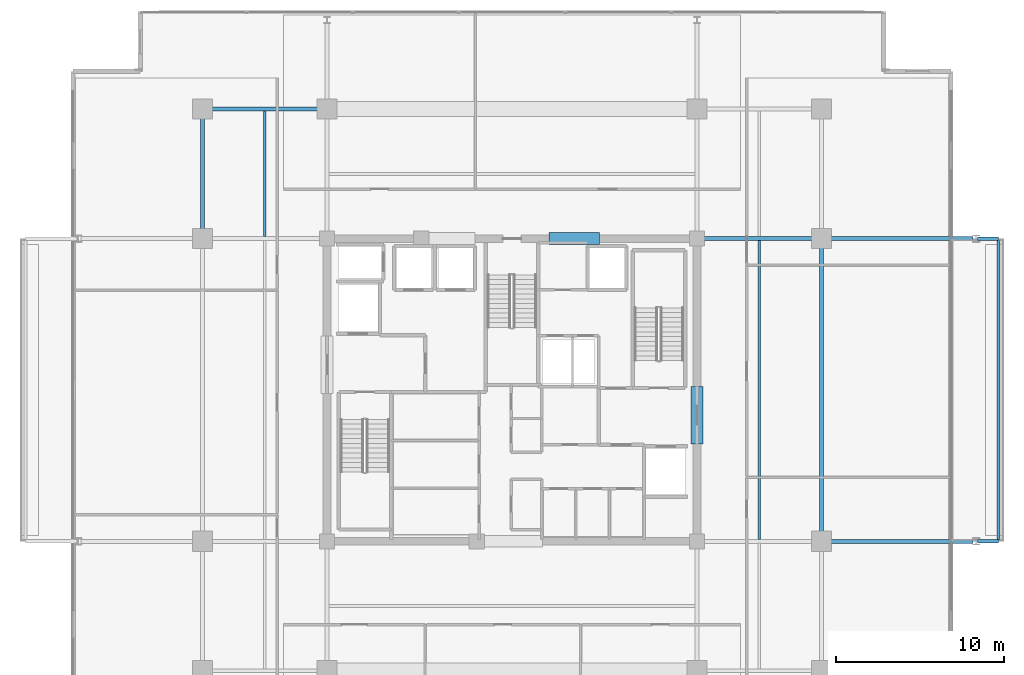
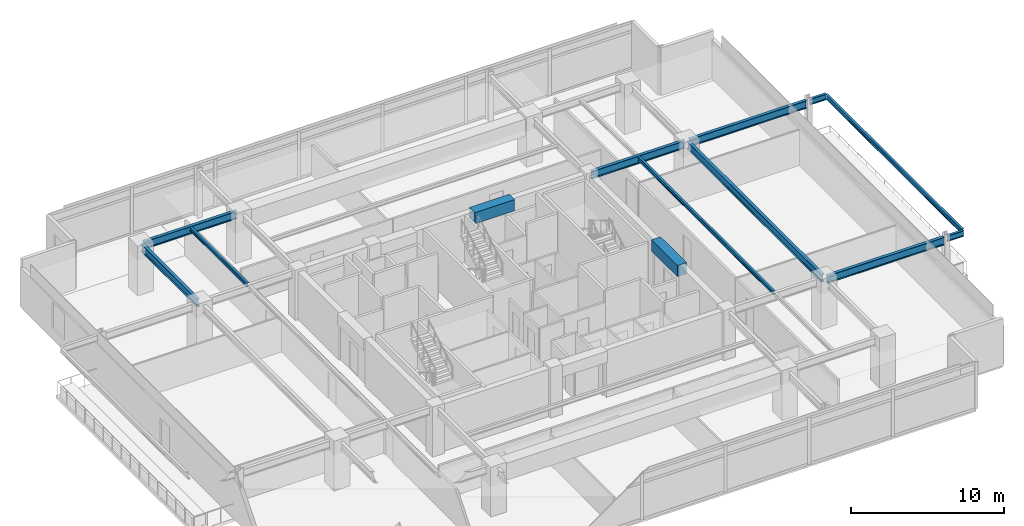
# One storey, part 8 of 24: 13 beams.
"""IFC4 building model written with IfcOpenShell, lengths in metres."""

from ifc_helpers import new_model, si_unit, direction, frame, origin, origin_2d, place, context, subcontext, project, spatial, rectangle, i_section, extrude, material, material_profile, profile_set, type_object, element, save


model = new_model("IFC4")

# Units and contexts
model_context = context("Model", 3, precision=1e-05, world=origin(), true_north=direction((0.0, 1.0)))
body_context = subcontext(model_context, "Body", "Model", "MODEL_VIEW")
ifc_project = project(units=[si_unit("LENGTHUNIT", "METRE"), si_unit("AREAUNIT", "SQUARE_METRE"), si_unit("VOLUMEUNIT", "CUBIC_METRE"), si_unit("PLANEANGLEUNIT", "RADIAN"), si_unit("MASSUNIT", "GRAM", prefix="KILO")], contexts=[model_context])

# Site, building, storey
site_placement = place(None, origin())
site = spatial("IfcSite", under=ifc_project, at=site_placement, CompositionType="ELEMENT")
building_placement = place(site_placement, origin())
building = spatial("IfcBuilding", under=site, at=building_placement, Name="Kovane Verandah Tower", CompositionType="ELEMENT")
storey_placement = place(building_placement, frame((0.0, 0.0, 271.199951171875)))
storey = spatial("IfcBuildingStorey", under=building, at=storey_placement, Name="L63", CompositionType="ELEMENT", Elevation=271.199951171875)

# Beams
ifc_material_1 = material(Name="Concrete C60/75", Category="concrete")
ifc_material_profile_1 = material_profile(ifc_material_1, rectangle(XDim=0.699951171875, YDim=0.89990234375, at=origin_2d()), Name="RCB700x900")
ifc_profile_set_1 = profile_set([ifc_material_profile_1], Name="Concrete C60/75")
beam_type_1 = type_object("IfcBeamType", Name="BM-LINTEL-700x900", PredefinedType="LINTEL", material=ifc_profile_set_1)
beam_1_placement = place(storey_placement, frame((42.199951171875, 36.5, 3.3349609375), z_axis=(1.0, 0.0, 0.0), x_axis=(0.0, 1.0, 0.0)))
element("IfcBeam", 1, at=beam_1_placement, inside=storey, type_object=beam_type_1, Name="L63 Core Coupling Lintel CL-N2", PredefinedType="LINTEL", context=body_context, shape_type="SweptSolid", body=[
    extrude(rectangle(XDim=0.699951171875, YDim=0.89990234375, at=origin_2d()), origin(), (0.0, 0.0, 1.0), 3.0),
])
beam_2_placement = place(storey_placement, frame((51.0, 24.300048828125, 3.3349609375), z_axis=(0.0, 1.0, 0.0), x_axis=(-1.0, 0.0, 0.0)))
element("IfcBeam", 2, at=beam_2_placement, inside=storey, type_object=beam_type_1, Name="L63 Core Coupling Lintel CL-E", PredefinedType="LINTEL", context=body_context, shape_type="SweptSolid", body=[
    extrude(rectangle(XDim=0.699951171875, YDim=0.89990234375, at=origin_2d()), origin(), (0.0, 0.0, 1.0), 3.39990234375),
])
ifc_material_2 = material(Name="Steel S355", Category="steel")
ifc_material_profile_2 = material_profile(ifc_material_2, i_section(OverallWidth=0.230224609375, OverallDepth=0.6171875, WebThickness=0.01318359375, FlangeThickness=0.022216796875, FilletRadius=0.0126953125, at=origin_2d()), Name="UB610x229x140")
ifc_profile_set_2 = profile_set([ifc_material_profile_2], Name="Steel S355")
beam_type_2 = type_object("IfcBeamType", Name="BM-UB610x140", PredefinedType="BEAM", material=ifc_profile_set_2)
beam_3_placement = place(storey_placement, frame((21.780029296875, 44.199951171875, 3.4765625), z_axis=(1.0, 0.0, 0.0), x_axis=(0.0, 1.0, 0.0)))
element("IfcBeam", 3, at=beam_3_placement, inside=storey, type_object=beam_type_2, Name="L63 Primary Tower Girder G-RN1", PredefinedType="BEAM", context=body_context, shape_type="SweptSolid", body=[
    extrude(i_section(OverallWidth=0.230224609375, OverallDepth=0.6171875, WebThickness=0.01318359375, FlangeThickness=0.022216796875, FilletRadius=0.0126953125, at=origin_2d()), origin(), (0.0, 0.0, 1.0), 7.0400390625),
])
beam_4_placement = place(storey_placement, frame((21.60009765625, 36.679931640625, 3.4765625), z_axis=(0.0, 1.0, 0.0), x_axis=(-1.0, 0.0, 0.0)))
element("IfcBeam", 4, at=beam_4_placement, inside=storey, type_object=beam_type_2, Name="L63 Primary Tower Girder G-RW3", PredefinedType="BEAM", context=body_context, shape_type="SweptSolid", body=[
    extrude(i_section(OverallWidth=0.230224609375, OverallDepth=0.6171875, WebThickness=0.01318359375, FlangeThickness=0.022216796875, FilletRadius=0.0126953125, at=origin_2d()), origin(), (0.0, 0.0, 1.0), 7.340087890625),
])
beam_5_placement = place(storey_placement, frame((58.39990234375, 18.679931640625, 3.4765625), z_axis=(0.0, 1.0, 0.0), x_axis=(-1.0, 0.0, 0.0)))
element("IfcBeam", 5, at=beam_5_placement, inside=storey, type_object=beam_type_2, Name="L63 Primary Tower Girder G-RE2", PredefinedType="BEAM", context=body_context, shape_type="SweptSolid", body=[
    extrude(i_section(OverallWidth=0.230224609375, OverallDepth=0.6171875, WebThickness=0.01318359375, FlangeThickness=0.022216796875, FilletRadius=0.0126953125, at=origin_2d()), origin(), (0.0, 0.0, 1.0), 17.64013671875),
])
beam_6_placement = place(storey_placement, frame((51.179931640625, 36.5, 3.4765625), z_axis=(1.0, 0.0, 0.0), x_axis=(0.0, 1.0, 0.0)))
element("IfcBeam", 6, at=beam_6_placement, inside=storey, type_object=beam_type_2, Name="L63 Primary Tower Girder G-E2", PredefinedType="BEAM", context=body_context, shape_type="SweptSolid", body=[
    extrude(i_section(OverallWidth=0.230224609375, OverallDepth=0.6171875, WebThickness=0.01318359375, FlangeThickness=0.022216796875, FilletRadius=0.0126953125, at=origin_2d()), origin(), (0.0, 0.0, 1.0), 7.0400390625),
])
for number, where, z_axis, x_axis, name in (
    (7, (58.580078125, 18.5, 3.451416015625), (1.0, 0.0, 0.0), (0.0, 1.0, 0.0), "L63 Primary Tower Girder G-VE1"),
    (8, (58.580078125, 36.5, 3.451416015625), (1.0, 0.0, 0.0), (0.0, 1.0, 0.0), "L63 Primary Tower Girder G-VE2"),
):
    element("IfcBeam", number, at=place(storey_placement, frame(where, z_axis=z_axis, x_axis=x_axis)), inside=storey, type_object=beam_type_2, Name=name, PredefinedType="BEAM", context=body_context, shape_type="SweptSolid", body=[
        extrude(i_section(OverallWidth=0.230224609375, OverallDepth=0.6171875, WebThickness=0.01318359375, FlangeThickness=0.022216796875, FilletRadius=0.0126953125, at=origin_2d()), origin(), (0.0, 0.0, 1.0), 8.83984375),
    ])
ifc_material_profile_3 = material_profile(ifc_material_2, i_section(OverallWidth=0.1669921875, OverallDepth=0.310302734375, WebThickness=0.0078125, FlangeThickness=0.013671875, FilletRadius=0.0087890625, at=origin_2d()), Name="UB305x165x54")
ifc_profile_set_3 = profile_set([ifc_material_profile_3], Name="Steel S355")
beam_type_3 = type_object("IfcBeamType", Name="JST-UB305x54", PredefinedType="JOIST", material=ifc_profile_set_3)
beam_7_placement = place(storey_placement, frame((54.699951171875, 18.613037109375, 3.6298828125), z_axis=(0.0, 1.0, 0.0), x_axis=(-1.0, 0.0, 0.0)))
element("IfcBeam", 9, at=beam_7_placement, inside=storey, type_object=beam_type_3, Name="L63 Secondary Composite Joist J-E1", PredefinedType="JOIST", context=body_context, shape_type="SweptSolid", body=[
    extrude(i_section(OverallWidth=0.1669921875, OverallDepth=0.310302734375, WebThickness=0.0078125, FlangeThickness=0.013671875, FilletRadius=0.0087890625, at=origin_2d()), origin(), (0.0, 0.0, 1.0), 17.77392578125),
])
beam_8_placement = place(storey_placement, frame((25.300048828125, 36.613037109375, 3.6298828125), z_axis=(0.0, 1.0, 0.0), x_axis=(-1.0, 0.0, 0.0)))
element("IfcBeam", 10, at=beam_8_placement, inside=storey, type_object=beam_type_3, Name="L63 Secondary Composite Joist J-NW1", PredefinedType="JOIST", context=body_context, shape_type="SweptSolid", body=[
    extrude(i_section(OverallWidth=0.1669921875, OverallDepth=0.310302734375, WebThickness=0.0078125, FlangeThickness=0.013671875, FilletRadius=0.0087890625, at=origin_2d()), origin(), (0.0, 0.0, 1.0), 7.473876953125),
])
ifc_material_profile_4 = material_profile(ifc_material_2, i_section(OverallWidth=0.19287109375, OverallDepth=0.46728515625, WebThickness=0.011474609375, FlangeThickness=0.01953125, FilletRadius=0.01025390625, at=origin_2d()), Name="UB457x191x98")
ifc_profile_set_4 = profile_set([ifc_material_profile_4], Name="Steel S355")
beam_type_4 = type_object("IfcBeamType", Name="JST-UB457x98", PredefinedType="JOIST", material=ifc_profile_set_4)
for number, where, z_axis, x_axis, name in (
    (11, (67.679931640625, 18.5, 3.5263671875), (1.0, 0.0, 0.0), (0.0, 1.0, 0.0), "L63 East Planter Girder 1"),
    (12, (67.679931640625, 36.5, 3.5263671875), (1.0, 0.0, 0.0), (0.0, 1.0, 0.0), "L63 East Planter Girder 2"),
):
    element("IfcBeam", number, at=place(storey_placement, frame(where, z_axis=z_axis, x_axis=x_axis)), inside=storey, type_object=beam_type_4, Name=name, PredefinedType="JOIST", context=body_context, shape_type="SweptSolid", body=[
        extrude(i_section(OverallWidth=0.19287109375, OverallDepth=0.46728515625, WebThickness=0.011474609375, FlangeThickness=0.01953125, FilletRadius=0.01025390625, at=origin_2d()), origin(), (0.0, 0.0, 1.0), 1.2392578125),
    ])
ifc_material_profile_5 = material_profile(ifc_material_2, i_section(OverallWidth=0.173095703125, OverallDepth=0.36328125, WebThickness=0.009033203125, FlangeThickness=0.015625, FilletRadius=0.01025390625, at=origin_2d()), Name="UB356x171x67")
ifc_profile_set_5 = profile_set([ifc_material_profile_5], Name="Steel S355")
beam_type_5 = type_object("IfcBeamType", Name="SPD-UB356x67", PredefinedType="USERDEFINED", material=ifc_profile_set_5)
beam_9_placement = place(storey_placement, frame((68.919189453125, 18.594482421875, 3.578369140625), z_axis=(0.0, 1.0, 0.0), x_axis=(-1.0, 0.0, 0.0)))
element("IfcBeam", 13, at=beam_9_placement, inside=storey, type_object=beam_type_5, Name="L63 East Planter Edge Spandrel", ObjectType="SPANDREL", PredefinedType="USERDEFINED", context=body_context, shape_type="SweptSolid", body=[
    extrude(i_section(OverallWidth=0.173095703125, OverallDepth=0.36328125, WebThickness=0.009033203125, FlangeThickness=0.015625, FilletRadius=0.01025390625, at=origin_2d()), origin(), (0.0, 0.0, 1.0), 17.81103515625),
])

save(model, "model.ifc")
